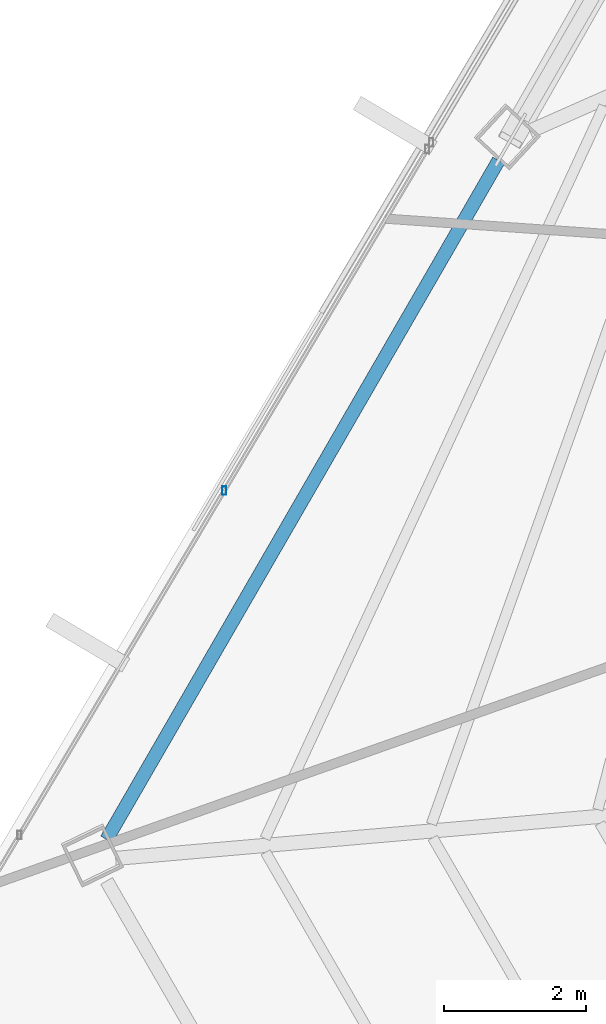
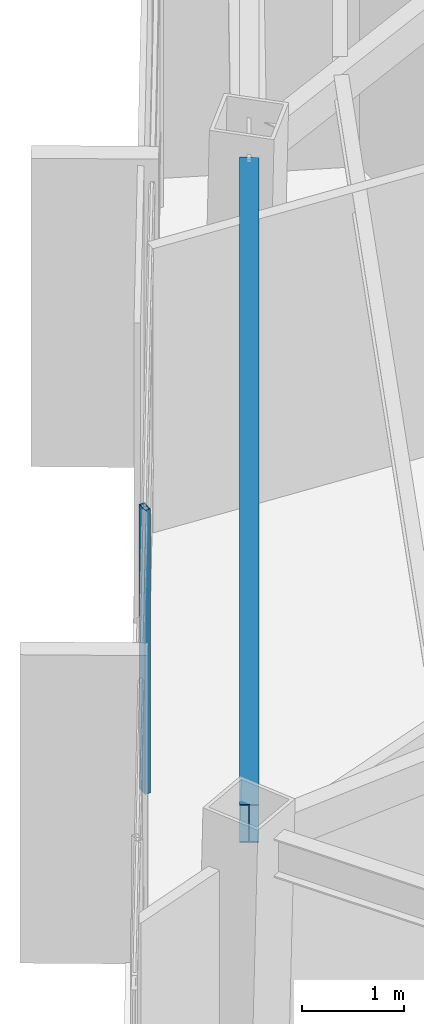
# One storey, part 9 of 42: 1 beam, 1 member, 1 element without a shape of its own.
"""IFC4 building model written with IfcOpenShell, lengths in metres."""

from ifc_helpers import new_model, si_unit, direction, frame, origin, origin_2d, place, context, subcontext, project, spatial, hollow_rectangle, i_section, extrude, source, transform, mapped, material, material_profile, profile_set, type_object, type_shapes, element, aggregate, save


model = new_model("IFC4")

# Units and contexts
model_context = context("Model", 3, precision=1e-05, world=origin(), true_north=direction((0.0, 1.0)))
body_context = subcontext(model_context, "Body", "Model", "MODEL_VIEW")
ifc_project = project(units=[si_unit("LENGTHUNIT", "METRE"), si_unit("AREAUNIT", "SQUARE_METRE"), si_unit("VOLUMEUNIT", "CUBIC_METRE"), si_unit("PLANEANGLEUNIT", "RADIAN"), si_unit("MASSUNIT", "GRAM", prefix="KILO")], contexts=[model_context])

# Site, building, storey
site_placement = place(None, origin())
site = spatial("IfcSite", under=ifc_project, at=site_placement, CompositionType="ELEMENT")
building_placement = place(site_placement, origin())
building = spatial("IfcBuilding", under=site, at=building_placement, Name="Caelisora Broadcast Tower", CompositionType="ELEMENT")
storey_placement = place(building_placement, frame((0.0, 0.0, 244.449951171875)))
storey = spatial("IfcBuildingStorey", under=building, at=storey_placement, Name="L64", CompositionType="ELEMENT", Elevation=244.449951171875)

# Beam
ifc_material_1 = material(Name="Steel Grade 350 (AS/NZS 3679.1)", Category="steel")
ifc_material_profile_1 = material_profile(ifc_material_1, i_section(OverallWidth=0.19091796875, OverallDepth=0.46044921875, WebThickness=0.010009765625, FlangeThickness=0.01611328125, at=origin_2d()), Name="Steel Grade 350 (AS/NZS 3679.1)")
ifc_profile_set_1 = profile_set([ifc_material_profile_1], Name="Steel Grade 350 (AS/NZS 3679.1)")
beam_type = type_object("IfcBeamType", Name="PG06", PredefinedType="BEAM", material=ifc_profile_set_1)
shared_shape_1 = source(origin(), body_context, "Body", "SweptSolid", [
    extrude(i_section(OverallWidth=0.19091796875, OverallDepth=0.46044921875, WebThickness=0.010009765625, FlangeThickness=0.01611328125, at=origin_2d()), origin(), (0.0, 0.0, 1.0), 11.05859375),
])
type_shapes(beam_type, [shared_shape_1])
beam_placement = place(storey_placement, frame((22.052001953125, 26.042236328125, 3.169921875), z_axis=(-0.499995092988, -0.866028236831, 0.0), x_axis=(0.866028236831, -0.499995092988, 0.0)))
element("IfcBeam", 1, at=beam_placement, inside=storey, type_object=beam_type, Name="L64 beam PG06", PredefinedType="BEAM", context=body_context, shape_type="MappedRepresentation", body=[
    mapped(shared_shape_1, transform((0.0, 0.0, 0.0), scale=1.0)),
])

# Curtain wall, member
ifc_material_2 = material(Name="Unitised Aluminium and Low-E Glass Curtain Wall", Category="glass")
curtain_wall_type = type_object("IfcCurtainWallType", Name="CW-Z5", PredefinedType="NOTDEFINED", material=ifc_material_2)
curtain_wall_placement = place(storey_placement, origin())
curtain_wall = element("IfcCurtainWall", 2, at=curtain_wall_placement, inside=storey, type_object=curtain_wall_type, Name="L64 curtain wall CW-Z5", PredefinedType="NOTDEFINED")
ifc_material_3 = material(Name="Aluminium 6063-T6 Anodised Terracotta Bronze", Category="aluminium")
ifc_material_profile_2 = material_profile(ifc_material_3, hollow_rectangle(XDim=0.06005859375, YDim=0.1201171875, WallThickness=0.0029296875, at=origin_2d()), Name="Aluminium 6063-T6 Anodised Terracotta Bronze")
ifc_profile_set_2 = profile_set([ifc_material_profile_2], Name="Aluminium 6063-T6 Anodised Terracotta Bronze")
member_type = type_object("IfcMemberType", Name="CWM-04", PredefinedType="MULLION", material=ifc_profile_set_2)
shared_shape_2 = source(origin(), body_context, "Body", "SweptSolid", [
    extrude(hollow_rectangle(XDim=0.06005859375, YDim=0.1201171875, WallThickness=0.0029296875, at=origin_2d()), origin(), (0.0, 0.0, 1.0), 3.400146484375),
])
type_shapes(member_type, [shared_shape_2])
member_placement = place(storey_placement, frame((18.1826171875, 21.385009765625, 0.0), z_axis=(0.0, 0.0, 1.0), x_axis=(1.0, 0.0, 0.0)))
member = element("IfcMember", 3, at=member_placement, type_object=member_type, Name="L64-CW-B09 mullion #2", PredefinedType="MULLION", context=body_context, shape_type="MappedRepresentation", body=[
    mapped(shared_shape_2, transform((0.0, 0.0, 0.0), scale=1.0)),
])
aggregate(curtain_wall, [member])

save(model, "model.ifc")
